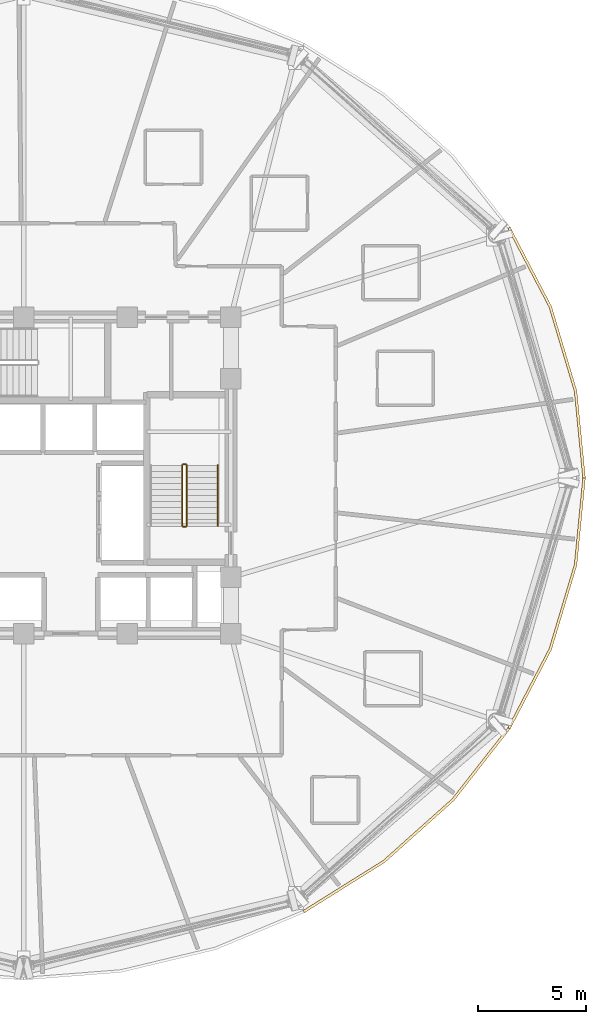
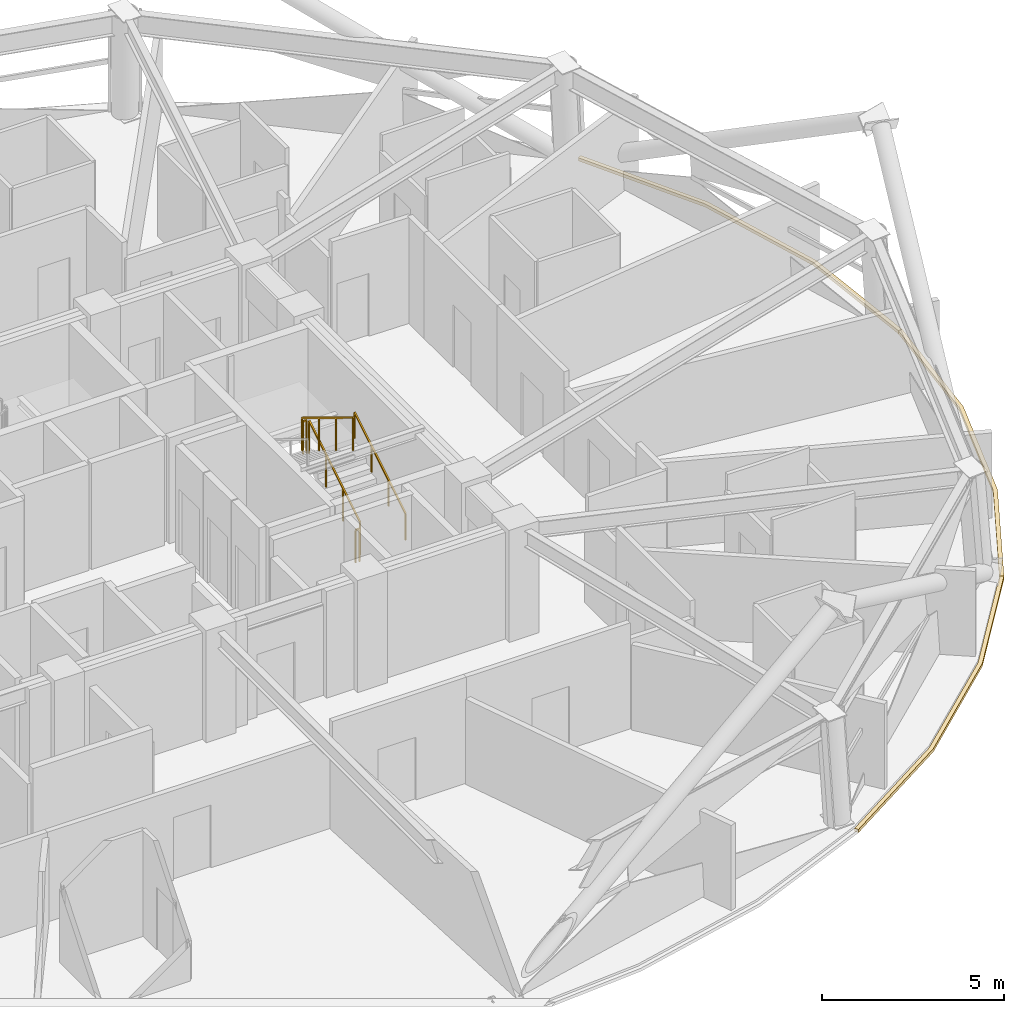
# One storey, part 12 of 13: 5 railings, 3 coverings.
"""IFC4 building model written with IfcOpenShell, lengths in metres."""

from ifc_helpers import new_model, si_unit, direction, frame, origin, origin_2d, place, context, subcontext, project, spatial, polyline, rectangle, outline, extrude, material, layer, layer_set, type_object, element, save


model = new_model("IFC4")

# Units and contexts
model_context = context("Model", 3, precision=1e-05, world=origin(), true_north=direction((0.0, 1.0)))
body_context = subcontext(model_context, "Body", "Model", "MODEL_VIEW")
ifc_project = project(units=[si_unit("LENGTHUNIT", "METRE"), si_unit("AREAUNIT", "SQUARE_METRE"), si_unit("VOLUMEUNIT", "CUBIC_METRE"), si_unit("PLANEANGLEUNIT", "RADIAN"), si_unit("MASSUNIT", "GRAM", prefix="KILO")], contexts=[model_context])

# Site, building, storey
site_placement = place(None, origin())
site = spatial("IfcSite", under=ifc_project, at=site_placement, CompositionType="ELEMENT")
building_placement = place(site_placement, origin())
building = spatial("IfcBuilding", under=site, at=building_placement, Name="Vantalir Tower", CompositionType="ELEMENT")
storey_placement = place(building_placement, frame((0.0, 0.0, 127.199951171875)))
storey = spatial("IfcBuildingStorey", under=building, at=storey_placement, Name="L31", CompositionType="ELEMENT", Elevation=127.199951171875)

# Coverings
ifc_material_1 = material(Name="Anodised champagne aluminium sill fascia", Category="aluminium")
ifc_layer = layer(ifc_material_1, 0.125)
ifc_layer_set = layer_set([ifc_layer], Name="Anodised champagne aluminium sill fascia")
covering_type = type_object("IfcCoveringType", Name="COV-SLAB-FASCIA-125", PredefinedType="CLADDING", material=ifc_layer_set)
covering_1_placement = place(storey_placement, frame((0.0, 0.0, -0.179931640625)))
element("IfcCovering", 1, at=covering_1_placement, inside=storey, type_object=covering_type, Name="L31 Perimeter Slab-Edge Sill Fascia 01", PredefinedType="CLADDING", context=body_context, shape_type="SweptSolid", body=[
    extrude(outline(polyline([(57.514892578125, 25.0), (57.1201171875, 29.035888671875), (55.946044921875, 32.948974609375), (54.030029296875, 36.6201171875), (53.9208984375, 36.55810546875), (55.8291015625, 32.906005859375), (56.9970703125, 29.013916015625), (57.389892578125, 25.0), (57.514892578125, 25.0)])), origin(), (0.0, 0.0, 1.0), 0.10498046875),
])
covering_2_placement = place(storey_placement, frame((0.0, 0.0, -0.179931640625)))
element("IfcCovering", 2, at=covering_2_placement, inside=storey, type_object=covering_type, Name="L31 Perimeter Slab-Edge Sill Fascia 11", PredefinedType="CLADDING", context=body_context, shape_type="SweptSolid", body=[
    extrude(outline(polyline([(44.508056640625, 4.873046875), (48.221923828125, 7.196044921875), (51.428955078125, 10.06103515625), (54.030029296875, 13.37890625), (53.9208984375, 13.44189453125), (51.3330078125, 10.14111328125), (48.14208984375, 7.2919921875), (44.445068359375, 4.98095703125), (44.508056640625, 4.873046875)])), origin(), (0.0, 0.0, 1.0), 0.10498046875),
])
covering_3_placement = place(storey_placement, frame((0.0, 0.0, -0.179931640625)))
element("IfcCovering", 3, at=covering_3_placement, inside=storey, type_object=covering_type, Name="L31 Perimeter Slab-Edge Sill Fascia 12", PredefinedType="CLADDING", context=body_context, shape_type="SweptSolid", body=[
    extrude(outline(polyline([(54.030029296875, 13.37890625), (55.946044921875, 17.051025390625), (57.1201171875, 20.964111328125), (57.514892578125, 25.0), (57.389892578125, 25.0), (56.9970703125, 20.986083984375), (55.8291015625, 17.093994140625), (53.9208984375, 13.44189453125), (54.030029296875, 13.37890625)])), origin(), (0.0, 0.0, 1.0), 0.10498046875),
])

# Railings
ifc_material_2 = material(Name="Anodised aluminium and stainless steel guard", Category="steel")
railing_type_1 = type_object("IfcRailingType", Name="RAL-GUARD-1120", PredefinedType="GUARDRAIL", material=ifc_material_2)
railing_1_placement = place(storey_placement, frame((39.06005859375, 22.7900390625, 0.17041015625)))
element("IfcRailing", 4, at=railing_1_placement, inside=storey, type_object=railing_type_1, Name="L31 ST2 stair guard 1", PredefinedType="GUARDRAIL", context=body_context, shape_type="SweptSolid", body=[
    extrude(rectangle(XDim=0.048095703125, YDim=0.048095703125, at=origin_2d()), frame((0.0, 0.0, 1.09619140625), z_axis=(0.0, 0.854169791009, 0.51999420009), x_axis=(-1.0, 0.0, 0.0)), (0.0, 0.0, 1.0), 3.278076171875),
    extrude(rectangle(XDim=0.0419921875, YDim=0.0419921875, at=origin_2d()), origin(), (0.0, 0.0, 1.0), 1.072021484375),
    extrude(rectangle(XDim=0.0419921875, YDim=0.0419921875, at=origin_2d()), frame((0.0, 0.933349609375, 0.568115234375)), (0.0, 0.0, 1.0), 1.072021484375),
    extrude(rectangle(XDim=0.0419921875, YDim=0.0419921875, at=origin_2d()), frame((0.0, 1.86669921875, 1.136474609375)), (0.0, 0.0, 1.0), 1.072021484375),
    extrude(rectangle(XDim=0.0419921875, YDim=0.0419921875, at=origin_2d()), frame((0.0, 2.800048828125, 1.70458984375)), (0.0, 0.0, 1.0), 1.072021484375),
])
railing_2_placement = place(storey_placement, frame((39.010009765625, 25.639892578125, 1.875)))
element("IfcRailing", 5, at=railing_2_placement, inside=storey, type_object=railing_type_1, Name="L31 ST2 stair guard 2", PredefinedType="GUARDRAIL", context=body_context, shape_type="SweptSolid", body=[
    extrude(rectangle(XDim=0.048095703125, YDim=0.048095703125, at=origin_2d()), frame((0.0, 0.0, 1.09619140625), z_axis=(-1.0, 0.0, 0.0), x_axis=(0.0, -1.0, 0.0)), (0.0, 0.0, 1.0), 0.1201171875),
    extrude(rectangle(XDim=0.0419921875, YDim=0.0419921875, at=origin_2d()), origin(), (0.0, 0.0, 1.0), 1.072021484375),
    extrude(rectangle(XDim=0.0419921875, YDim=0.0419921875, at=origin_2d()), frame((-0.1201171875, 0.0, 0.0)), (0.0, 0.0, 1.0), 1.072021484375),
])
railing_3_placement = place(storey_placement, frame((38.840087890625, 25.590087890625, 2.04541015625)))
element("IfcRailing", 6, at=railing_3_placement, inside=storey, type_object=railing_type_1, Name="L31 ST2 stair guard 3", PredefinedType="GUARDRAIL", context=body_context, shape_type="SweptSolid", body=[
    extrude(rectangle(XDim=0.048095703125, YDim=0.048095703125, at=origin_2d()), frame((0.0, 0.0, 1.09619140625), z_axis=(0.0, -0.854169791009, 0.51999420009), x_axis=(1.0, 0.0, 0.0)), (0.0, 0.0, 1.0), 3.278076171875),
    extrude(rectangle(XDim=0.0419921875, YDim=0.0419921875, at=origin_2d()), origin(), (0.0, 0.0, 1.0), 1.072021484375),
    extrude(rectangle(XDim=0.0419921875, YDim=0.0419921875, at=origin_2d()), frame((0.0, -0.933349609375, 0.568115234375)), (0.0, 0.0, 1.0), 1.072021484375),
    extrude(rectangle(XDim=0.0419921875, YDim=0.0419921875, at=origin_2d()), frame((0.0, -1.86669921875, 1.136474609375)), (0.0, 0.0, 1.0), 1.072021484375),
    extrude(rectangle(XDim=0.0419921875, YDim=0.0419921875, at=origin_2d()), frame((0.0, -2.800048828125, 1.70458984375)), (0.0, 0.0, 1.0), 1.072021484375),
])
railing_4_placement = place(storey_placement, frame((39.010009765625, 22.739990234375, 0.0)))
element("IfcRailing", 7, at=railing_4_placement, inside=storey, type_object=railing_type_1, Name="L31 ST2 stair guard 4", PredefinedType="GUARDRAIL", context=body_context, shape_type="SweptSolid", body=[
    extrude(rectangle(XDim=0.048095703125, YDim=0.048095703125, at=origin_2d()), frame((0.0, 0.0, 1.09619140625), z_axis=(-1.0, 0.0, 0.0), x_axis=(0.0, -1.0, 0.0)), (0.0, 0.0, 1.0), 0.1201171875),
    extrude(rectangle(XDim=0.0419921875, YDim=0.0419921875, at=origin_2d()), origin(), (0.0, 0.0, 1.0), 1.072021484375),
    extrude(rectangle(XDim=0.0419921875, YDim=0.0419921875, at=origin_2d()), frame((-0.1201171875, 0.0, 0.0)), (0.0, 0.0, 1.0), 1.072021484375),
])
ifc_material_3 = material(Name="Brushed stainless steel tubular handrail", Category="steel")
railing_type_2 = type_object("IfcRailingType", Name="RAL-HANDRAIL-900", PredefinedType="HANDRAIL", material=ifc_material_3)
railing_5_placement = place(storey_placement, frame((40.5, 22.7900390625, 0.17041015625)))
element("IfcRailing", 8, at=railing_5_placement, inside=storey, type_object=railing_type_2, Name="L31 ST2 stair handrail 1", PredefinedType="HANDRAIL", context=body_context, shape_type="SweptSolid", body=[
    extrude(rectangle(XDim=0.048095703125, YDim=0.048095703125, at=origin_2d()), frame((0.0, 0.0, 0.8759765625), z_axis=(0.0, 0.854169791009, 0.51999420009), x_axis=(-1.0, 0.0, 0.0)), (0.0, 0.0, 1.0), 3.278076171875),
    extrude(rectangle(XDim=0.0419921875, YDim=0.0419921875, at=origin_2d()), origin(), (0.0, 0.0, 1.0), 0.851806640625),
    extrude(rectangle(XDim=0.0419921875, YDim=0.0419921875, at=origin_2d()), frame((0.0, 0.933349609375, 0.568115234375)), (0.0, 0.0, 1.0), 0.851806640625),
    extrude(rectangle(XDim=0.0419921875, YDim=0.0419921875, at=origin_2d()), frame((0.0, 1.86669921875, 1.136474609375)), (0.0, 0.0, 1.0), 0.851806640625),
    extrude(rectangle(XDim=0.0419921875, YDim=0.0419921875, at=origin_2d()), frame((0.0, 2.800048828125, 1.70458984375)), (0.0, 0.0, 1.0), 0.851806640625),
])

save(model, "model.ifc")
